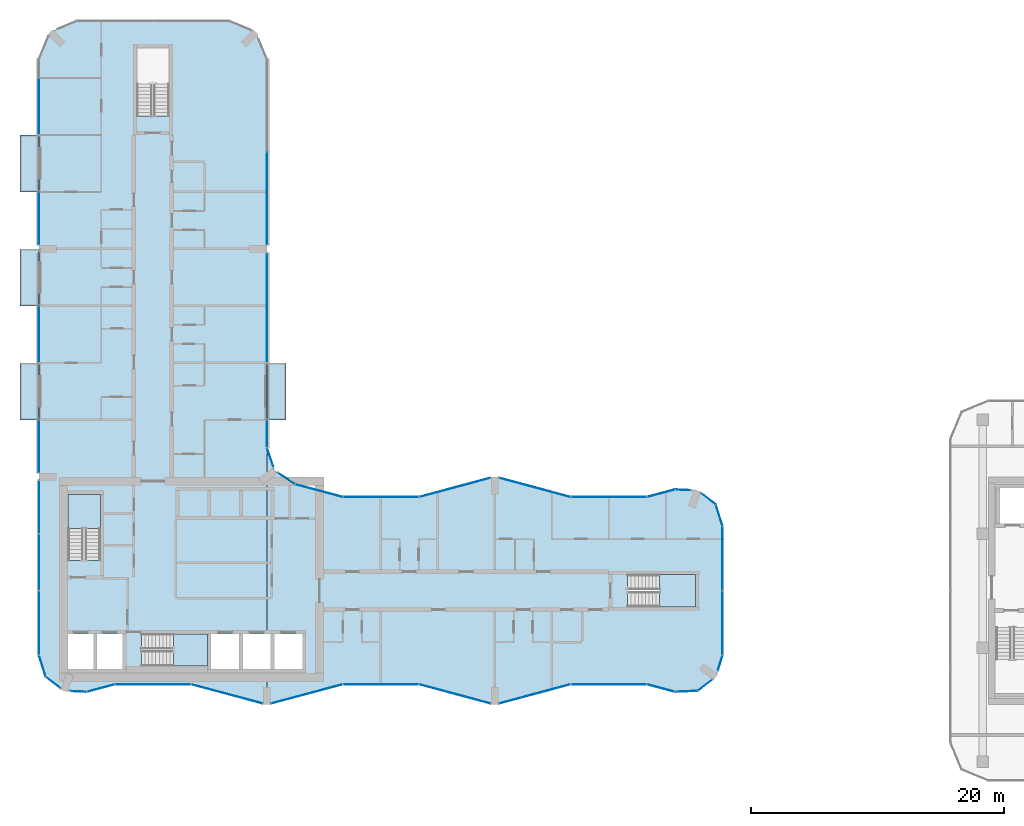
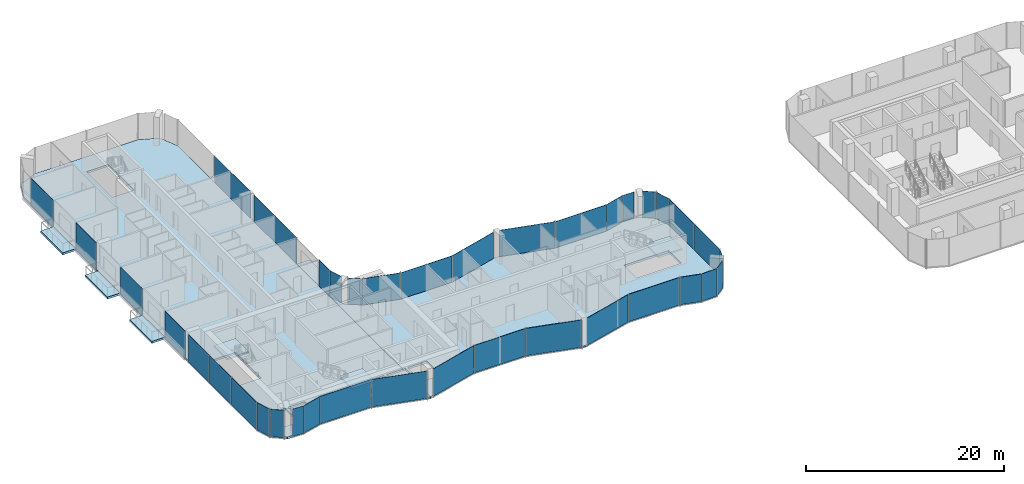
# One storey, part 11 of 22: 38 plates, 9 slabs, 38 elements without a shape of their own.
"""IFC4 building model written with IfcOpenShell, lengths in metres."""

from ifc_helpers import new_model, si_unit, direction, frame, origin, origin_2d, place, context, subcontext, project, spatial, polyline, rectangle, outline, extrude, material, layer, layer_set, type_object, element, aggregate, save


model = new_model("IFC4")

# Units and contexts
model_context = context("Model", 3, precision=1e-05, world=origin(), true_north=direction((0.0, 1.0)))
body_context = subcontext(model_context, "Body", "Model", "MODEL_VIEW")
ifc_project = project(units=[si_unit("LENGTHUNIT", "METRE"), si_unit("AREAUNIT", "SQUARE_METRE"), si_unit("VOLUMEUNIT", "CUBIC_METRE"), si_unit("PLANEANGLEUNIT", "RADIAN"), si_unit("MASSUNIT", "GRAM", prefix="KILO")], contexts=[model_context])

# Site, building, storey
site_placement = place(None, origin())
site = spatial("IfcSite", under=ifc_project, at=site_placement, CompositionType="ELEMENT")
building_placement = place(site_placement, origin())
building = spatial("IfcBuilding", under=site, at=building_placement, Name="Plateau Cross Towers", CompositionType="ELEMENT")
storey_placement = place(building_placement, frame((0.0, 0.0, 61.800048828125)))
storey = spatial("IfcBuildingStorey", under=building, at=storey_placement, Name="L15", CompositionType="ELEMENT", Elevation=61.800048828125)

# Slabs
ifc_material_1 = material(Name="Concrete C40/50", Category="concrete")
ifc_layer_1 = layer(ifc_material_1, 0.25)
ifc_layer_set_1 = layer_set([ifc_layer_1], Name="Concrete C40/50")
slab_type_1 = type_object("IfcSlabType", Name="Balcony slab 250", PredefinedType="FLOOR", material=ifc_layer_set_1)
slab_1_placement = place(storey_placement, frame((0.0, 0.0, -0.25)))
element("IfcSlab", 1, at=slab_1_placement, inside=storey, type_object=slab_type_1, Name="Balcony slab A-BAL-L15-01", PredefinedType="FLOOR", context=body_context, shape_type="SweptSolid", body=[
    extrude(outline(polyline([(0.0, 22.5), (0.0, 27.0), (-1.5, 27.0), (-1.5, 22.5), (0.0, 22.5)])), origin(), (0.0, 0.0, 1.0), 0.25),
])
slab_2_placement = place(storey_placement, frame((0.0, 0.0, -0.25)))
element("IfcSlab", 2, at=slab_2_placement, inside=storey, type_object=slab_type_1, Name="Balcony slab A-BAL-L15-02", PredefinedType="FLOOR", context=body_context, shape_type="SweptSolid", body=[
    extrude(outline(polyline([(0.0, 31.5), (0.0, 36.0), (-1.5, 36.0), (-1.5, 31.5), (0.0, 31.5)])), origin(), (0.0, 0.0, 1.0), 0.25),
])
slab_3_placement = place(storey_placement, frame((0.0, 0.0, -0.25)))
element("IfcSlab", 3, at=slab_3_placement, inside=storey, type_object=slab_type_1, Name="Balcony slab A-BAL-L15-03", PredefinedType="FLOOR", context=body_context, shape_type="SweptSolid", body=[
    extrude(outline(polyline([(0.0, 40.5), (0.0, 45.0), (-1.5, 45.0), (-1.5, 40.5), (0.0, 40.5)])), origin(), (0.0, 0.0, 1.0), 0.25),
])
slab_4_placement = place(storey_placement, frame((0.0, 0.0, -0.25)))
element("IfcSlab", 4, at=slab_4_placement, inside=storey, type_object=slab_type_1, Name="Balcony slab A-BAL-L15-04", PredefinedType="FLOOR", context=body_context, shape_type="SweptSolid", body=[
    extrude(outline(polyline([(19.5, 22.5), (19.5, 27.0), (18.0, 27.0), (18.0, 22.5), (19.5, 22.5)])), origin(), (0.0, 0.0, 1.0), 0.25),
])

# Curtain wall, plate
ifc_material_2 = material(Name="Dark low-iron glass", Category="glass")
ifc_layer_2 = layer(ifc_material_2, 0.239990234375)
ifc_layer_set_2 = layer_set([ifc_layer_2], Name="Dark low-iron glass")
curtain_wall_type_1 = type_object("IfcCurtainWallType", Name="Curtain wall flush unitised CW-B", PredefinedType="NOTDEFINED", material=ifc_layer_set_2)
curtain_wall_1_placement = place(storey_placement, origin())
curtain_wall_1 = element("IfcCurtainWall", 5, at=curtain_wall_1_placement, inside=storey, type_object=curtain_wall_type_1, Name="ENV/A/L15/A502_10", PredefinedType="NOTDEFINED")
ifc_layer_3 = layer(ifc_material_2, 0.031982421875)
ifc_layer_set_3 = layer_set([ifc_layer_3], Name="Dark low-iron glass")
plate_type_1 = type_object("IfcPlateType", Name="Glass panel 32 flush unitised", PredefinedType="CURTAIN_PANEL", material=ifc_layer_set_3)
plate_1_placement = place(storey_placement, frame((51.125, 1.05078125, -0.1298828125), z_axis=(0.0, 0.0, 1.0), x_axis=(0.999043701491, 0.043722791671, 0.0)))
plate_1 = element("IfcPlate", 6, at=plate_1_placement, type_object=plate_type_1, Name="CW-B panel 1", PredefinedType="CURTAIN_PANEL", context=body_context, shape_type="SweptSolid", body=[
    extrude(rectangle(XDim=1.744140625, YDim=0.031982421875, at=origin_2d()), origin(), (0.0, 0.0, 1.0), 3.3798828125),
])
aggregate(curtain_wall_1, [plate_1])

curtain_wall_2_placement = place(storey_placement, origin())
curtain_wall_2 = element("IfcCurtainWall", 7, at=curtain_wall_2_placement, inside=storey, type_object=curtain_wall_type_1, Name="ENV/A/L15/A520_11", PredefinedType="NOTDEFINED")
plate_2_placement = place(storey_placement, frame((52.60986328125, 1.5380859375, -0.1298828125), z_axis=(0.0, 0.0, 1.0), x_axis=(0.793315514529, 0.608810721331, 0.0)))
plate_2 = element("IfcPlate", 8, at=plate_2_placement, type_object=plate_type_1, Name="CW-B panel 1", PredefinedType="CURTAIN_PANEL", context=body_context, shape_type="SweptSolid", body=[
    extrude(rectangle(XDim=1.41162109375, YDim=0.031982421875, at=origin_2d()), origin(), (0.0, 0.0, 1.0), 3.3798828125),
])
aggregate(curtain_wall_2, [plate_2])

curtain_wall_3_placement = place(storey_placement, origin())
curtain_wall_3 = element("IfcCurtainWall", 9, at=curtain_wall_3_placement, inside=storey, type_object=curtain_wall_type_1, Name="ENV/A/L15/A536_27", PredefinedType="NOTDEFINED")
plate_3_placement = place(storey_placement, frame((53.805419921875, 3.292236328125, -0.1298828125), z_axis=(0.0, 0.0, 1.0), x_axis=(0.300686174994, 0.95372313811, 0.0)))
plate_3 = element("IfcPlate", 10, at=plate_3_placement, type_object=plate_type_1, Name="CW-B panel 1", PredefinedType="CURTAIN_PANEL", context=body_context, shape_type="SweptSolid", body=[
    extrude(rectangle(XDim=1.233642578125, YDim=0.031982421875, at=origin_2d()), origin(), (0.0, 0.0, 1.0), 3.3798828125),
])
aggregate(curtain_wall_3, [plate_3])

# Curtain wall, plates
curtain_wall_4_placement = place(storey_placement, origin())
curtain_wall_4 = element("IfcCurtainWall", 11, at=curtain_wall_4_placement, inside=storey, type_object=curtain_wall_type_1, Name="ENV/A/L15/A540_39", PredefinedType="NOTDEFINED")
plate_4_placement = place(storey_placement, frame((54.0, 6.45458984375, -0.1298828125), z_axis=(0.0, 0.0, 1.0), x_axis=(0.0, 1.0, 0.0)))
plate_4 = element("IfcPlate", 12, at=plate_4_placement, type_object=plate_type_1, Name="CW-B panel 1", PredefinedType="CURTAIN_PANEL", context=body_context, shape_type="SweptSolid", body=[
    extrude(rectangle(XDim=5.03076171875, YDim=0.031982421875, at=origin_2d()), origin(), (0.0, 0.0, 1.0), 3.3798828125),
])
plate_5_placement = place(storey_placement, frame((54.0, 11.54541015625, -0.1298828125), z_axis=(0.0, 0.0, 1.0), x_axis=(0.0, 1.0, 0.0)))
plate_5 = element("IfcPlate", 13, at=plate_5_placement, type_object=plate_type_1, Name="CW-B panel 2", PredefinedType="CURTAIN_PANEL", context=body_context, shape_type="SweptSolid", body=[
    extrude(rectangle(XDim=5.03076171875, YDim=0.031982421875, at=origin_2d()), origin(), (0.0, 0.0, 1.0), 3.3798828125),
])
aggregate(curtain_wall_4, [plate_4, plate_5])

# Curtain wall, plate
curtain_wall_5_placement = place(storey_placement, origin())
curtain_wall_5 = element("IfcCurtainWall", 14, at=curtain_wall_5_placement, inside=storey, type_object=curtain_wall_type_1, Name="ENV/A/L15/A540_141", PredefinedType="NOTDEFINED")
plate_6_placement = place(storey_placement, frame((53.728759765625, 14.951171875, -0.1298828125), z_axis=(0.0, 0.0, 1.0), x_axis=(-0.300686174994, 0.95372313811, 0.0)))
plate_6 = element("IfcPlate", 15, at=plate_6_placement, type_object=plate_type_1, Name="CW-B panel 1", PredefinedType="CURTAIN_PANEL", context=body_context, shape_type="SweptSolid", body=[
    extrude(rectangle(XDim=1.744140625, YDim=0.031982421875, at=origin_2d()), origin(), (0.0, 0.0, 1.0), 3.3798828125),
])
aggregate(curtain_wall_5, [plate_6])

curtain_wall_6_placement = place(storey_placement, origin())
curtain_wall_6 = element("IfcCurtainWall", 16, at=curtain_wall_6_placement, inside=storey, type_object=curtain_wall_type_1, Name="ENV/A/L15/A535_158", PredefinedType="NOTDEFINED")
plate_7_placement = place(storey_placement, frame((52.873779296875, 16.25927734375, -0.1298828125), z_axis=(0.0, 0.0, 1.0), x_axis=(-0.793315514529, 0.608810721331, 0.0)))
plate_7 = element("IfcPlate", 17, at=plate_7_placement, type_object=plate_type_1, Name="CW-B panel 1", PredefinedType="CURTAIN_PANEL", context=body_context, shape_type="SweptSolid", body=[
    extrude(rectangle(XDim=1.41162109375, YDim=0.031982421875, at=origin_2d()), origin(), (0.0, 0.0, 1.0), 3.3798828125),
])
aggregate(curtain_wall_6, [plate_7])

curtain_wall_7_placement = place(storey_placement, origin())
curtain_wall_7 = element("IfcCurtainWall", 18, at=curtain_wall_7_placement, inside=storey, type_object=curtain_wall_type_1, Name="ENV/A/L15/A515_169", PredefinedType="NOTDEFINED")
plate_8_placement = place(storey_placement, frame((50.8701171875, 16.96044921875, -0.1298828125), z_axis=(0.0, 0.0, 1.0), x_axis=(-0.999043701491, 0.043722791671, 0.0)))
plate_8 = element("IfcPlate", 19, at=plate_8_placement, type_object=plate_type_1, Name="CW-B panel 1", PredefinedType="CURTAIN_PANEL", context=body_context, shape_type="SweptSolid", body=[
    extrude(rectangle(XDim=1.233642578125, YDim=0.031982421875, at=origin_2d()), origin(), (0.0, 0.0, 1.0), 3.3798828125),
])
aggregate(curtain_wall_7, [plate_8])

curtain_wall_8_placement = place(storey_placement, origin())
curtain_wall_8 = element("IfcCurtainWall", 20, at=curtain_wall_8_placement, inside=storey, type_object=curtain_wall_type_1, Name="ENV/A/L15/A202_174", PredefinedType="NOTDEFINED")
plate_9_placement = place(storey_placement, frame((19.546630859375, 17.856689453125, -0.1298828125), z_axis=(0.0, 0.0, 1.0), x_axis=(-0.831521253329, 0.555492938984, 0.0)))
plate_9 = element("IfcPlate", 21, at=plate_9_placement, type_object=plate_type_1, Name="CW-B panel 1", PredefinedType="CURTAIN_PANEL", context=body_context, shape_type="SweptSolid", body=[
    extrude(rectangle(XDim=1.56884765625, YDim=0.031982421875, at=origin_2d()), origin(), (0.0, 0.0, 1.0), 3.3798828125),
])
aggregate(curtain_wall_8, [plate_9])

curtain_wall_9_placement = place(storey_placement, origin())
curtain_wall_9 = element("IfcCurtainWall", 22, at=curtain_wall_9_placement, inside=storey, type_object=curtain_wall_type_1, Name="ENV/A/L15/A185_188", PredefinedType="NOTDEFINED")
plate_10_placement = place(storey_placement, frame((18.26171875, 19.531005859375, -0.1298828125), z_axis=(0.0, 0.0, 1.0), x_axis=(-0.321469161574, 0.94692004845, 0.0)))
plate_10 = element("IfcPlate", 23, at=plate_10_placement, type_object=plate_type_1, Name="CW-B panel 1", PredefinedType="CURTAIN_PANEL", context=body_context, shape_type="SweptSolid", body=[
    extrude(rectangle(XDim=1.56884765625, YDim=0.031982421875, at=origin_2d()), origin(), (0.0, 0.0, 1.0), 3.3798828125),
])
aggregate(curtain_wall_9, [plate_10])

curtain_wall_10_placement = place(storey_placement, origin())
curtain_wall_10 = element("IfcCurtainWall", 24, at=curtain_wall_10_placement, inside=storey, type_object=curtain_wall_type_1, Name="ENV/A/L15/A180_203", PredefinedType="NOTDEFINED")
plate_11_placement = place(storey_placement, frame((18.0, 21.396240234375, -0.1298828125), z_axis=(0.0, 0.0, 1.0), x_axis=(0.0, 1.0, 0.0)))
plate_11 = element("IfcPlate", 25, at=plate_11_placement, type_object=plate_type_1, Name="CW-B panel 1", PredefinedType="CURTAIN_PANEL", context=body_context, shape_type="SweptSolid", body=[
    extrude(rectangle(XDim=2.127685546875, YDim=0.031982421875, at=origin_2d()), origin(), (0.0, 0.0, 1.0), 3.3798828125),
])
aggregate(curtain_wall_10, [plate_11])

curtain_wall_11_placement = place(storey_placement, origin())
curtain_wall_11 = element("IfcCurtainWall", 26, at=curtain_wall_11_placement, inside=storey, type_object=curtain_wall_type_1, Name="ENV/A/L15/A180_270", PredefinedType="NOTDEFINED")
plate_12_placement = place(storey_placement, frame((18.0, 31.35498046875, -0.1298828125), z_axis=(0.0, 0.0, 1.0), x_axis=(0.0, 1.0, 0.0)))
plate_12 = element("IfcPlate", 27, at=plate_12_placement, type_object=plate_type_1, Name="CW-B panel 1", PredefinedType="CURTAIN_PANEL", context=body_context, shape_type="SweptSolid", body=[
    extrude(rectangle(XDim=8.6298828125, YDim=0.031982421875, at=origin_2d()), origin(), (0.0, 0.0, 1.0), 3.3798828125),
])
aggregate(curtain_wall_11, [plate_12])

curtain_wall_12_placement = place(storey_placement, origin())
curtain_wall_12 = element("IfcCurtainWall", 28, at=curtain_wall_12_placement, inside=storey, type_object=curtain_wall_type_1, Name="ENV/A/L15/A180_363", PredefinedType="NOTDEFINED")
plate_13_placement = place(storey_placement, frame((18.0, 39.97509765625, -0.1298828125), z_axis=(0.0, 0.0, 1.0), x_axis=(0.0, 1.0, 0.0)))
plate_13 = element("IfcPlate", 29, at=plate_13_placement, type_object=plate_type_1, Name="CW-B panel 1", PredefinedType="CURTAIN_PANEL", context=body_context, shape_type="SweptSolid", body=[
    extrude(rectangle(XDim=7.2900390625, YDim=0.031982421875, at=origin_2d()), origin(), (0.0, 0.0, 1.0), 3.3798828125),
])
aggregate(curtain_wall_12, [plate_13])

curtain_wall_13_placement = place(storey_placement, origin())
curtain_wall_13 = element("IfcCurtainWall", 30, at=curtain_wall_13_placement, inside=storey, type_object=curtain_wall_type_1, Name="ENV/A/L15/A0_510", PredefinedType="NOTDEFINED")
plate_14_placement = place(storey_placement, frame((0.0, 47.2548828125, -0.1298828125), z_axis=(0.0, 0.0, 1.0), x_axis=(0.0, -1.0, 0.0)))
plate_14 = element("IfcPlate", 31, at=plate_14_placement, type_object=plate_type_1, Name="CW-B panel 2", PredefinedType="CURTAIN_PANEL", context=body_context, shape_type="SweptSolid", body=[
    extrude(rectangle(XDim=4.429931640625, YDim=0.031982421875, at=origin_2d()), origin(), (0.0, 0.0, 1.0), 3.3798828125),
])
aggregate(curtain_wall_13, [plate_14])

curtain_wall_14_placement = place(storey_placement, origin())
curtain_wall_14 = element("IfcCurtainWall", 32, at=curtain_wall_14_placement, inside=storey, type_object=curtain_wall_type_1, Name="ENV/A/L15/A0_405", PredefinedType="NOTDEFINED")
plate_15_placement = place(storey_placement, frame((0.0, 38.39501953125, -0.1298828125), z_axis=(0.0, 0.0, 1.0), x_axis=(0.0, -1.0, 0.0)))
plate_15 = element("IfcPlate", 33, at=plate_15_placement, type_object=plate_type_1, Name="CW-B panel 1", PredefinedType="CURTAIN_PANEL", context=body_context, shape_type="SweptSolid", body=[
    extrude(rectangle(XDim=4.1298828125, YDim=0.031982421875, at=origin_2d()), origin(), (0.0, 0.0, 1.0), 3.3798828125),
])
aggregate(curtain_wall_14, [plate_15])

curtain_wall_15_placement = place(storey_placement, origin())
curtain_wall_15 = element("IfcCurtainWall", 34, at=curtain_wall_15_placement, inside=storey, type_object=curtain_wall_type_1, Name="ENV/A/L15/A0_315", PredefinedType="NOTDEFINED")
plate_16_placement = place(storey_placement, frame((0.0, 29.25, -0.1298828125), z_axis=(0.0, 0.0, 1.0), x_axis=(0.0, -1.0, 0.0)))
plate_16 = element("IfcPlate", 35, at=plate_16_placement, type_object=plate_type_1, Name="CW-B panel 1", PredefinedType="CURTAIN_PANEL", context=body_context, shape_type="SweptSolid", body=[
    extrude(rectangle(XDim=4.419921875, YDim=0.031982421875, at=origin_2d()), origin(), (0.0, 0.0, 1.0), 3.3798828125),
])
aggregate(curtain_wall_15, [plate_16])

curtain_wall_16_placement = place(storey_placement, origin())
curtain_wall_16 = element("IfcCurtainWall", 36, at=curtain_wall_16_placement, inside=storey, type_object=curtain_wall_type_1, Name="ENV/A/L15/A0_225", PredefinedType="NOTDEFINED")
plate_17_placement = place(storey_placement, frame((0.0, 20.39501953125, -0.1298828125), z_axis=(0.0, 0.0, 1.0), x_axis=(0.0, -1.0, 0.0)))
plate_17 = element("IfcPlate", 37, at=plate_17_placement, type_object=plate_type_1, Name="CW-B panel 1", PredefinedType="CURTAIN_PANEL", context=body_context, shape_type="SweptSolid", body=[
    extrude(rectangle(XDim=4.1298828125, YDim=0.031982421875, at=origin_2d()), origin(), (0.0, 0.0, 1.0), 3.3798828125),
])
aggregate(curtain_wall_16, [plate_17])

# Curtain wall, plates
curtain_wall_17_placement = place(storey_placement, origin())
curtain_wall_17 = element("IfcCurtainWall", 38, at=curtain_wall_17_placement, inside=storey, type_object=curtain_wall_type_1, Name="ENV/A/L15/A0_177", PredefinedType="NOTDEFINED")
plate_18_placement = place(storey_placement, frame((0.0, 15.60009765625, -0.1298828125), z_axis=(0.0, 0.0, 1.0), x_axis=(0.0, -1.0, 0.0)))
plate_18 = element("IfcPlate", 39, at=plate_18_placement, type_object=plate_type_1, Name="CW-B panel 1", PredefinedType="CURTAIN_PANEL", context=body_context, shape_type="SweptSolid", body=[
    extrude(rectangle(XDim=4.139892578125, YDim=0.031982421875, at=origin_2d()), origin(), (0.0, 0.0, 1.0), 3.3798828125),
])
plate_19_placement = place(storey_placement, frame((0.0, 11.25, -0.1298828125), z_axis=(0.0, 0.0, 1.0), x_axis=(0.0, -1.0, 0.0)))
plate_19 = element("IfcPlate", 40, at=plate_19_placement, type_object=plate_type_1, Name="CW-B panel 2", PredefinedType="CURTAIN_PANEL", context=body_context, shape_type="SweptSolid", body=[
    extrude(rectangle(XDim=4.43994140625, YDim=0.031982421875, at=origin_2d()), origin(), (0.0, 0.0, 1.0), 3.3798828125),
])
plate_20_placement = place(storey_placement, frame((0.0, 6.45458984375, -0.1298828125), z_axis=(0.0, 0.0, 1.0), x_axis=(0.0, -1.0, 0.0)))
plate_20 = element("IfcPlate", 41, at=plate_20_placement, type_object=plate_type_1, Name="CW-B panel 3", PredefinedType="CURTAIN_PANEL", context=body_context, shape_type="SweptSolid", body=[
    extrude(rectangle(XDim=5.03076171875, YDim=0.031982421875, at=origin_2d()), origin(), (0.0, 0.0, 1.0), 3.3798828125),
])
aggregate(curtain_wall_17, [plate_18, plate_19, plate_20])

# Curtain wall, plate
curtain_wall_18_placement = place(storey_placement, origin())
curtain_wall_18 = element("IfcCurtainWall", 42, at=curtain_wall_18_placement, inside=storey, type_object=curtain_wall_type_1, Name="ENV/A/L15/A0_39", PredefinedType="NOTDEFINED")
plate_21_placement = place(storey_placement, frame((0.271240234375, 3.048828125, -0.1298828125), z_axis=(0.0, 0.0, 1.0), x_axis=(0.300686174994, -0.95372313811, 0.0)))
plate_21 = element("IfcPlate", 43, at=plate_21_placement, type_object=plate_type_1, Name="CW-B panel 1", PredefinedType="CURTAIN_PANEL", context=body_context, shape_type="SweptSolid", body=[
    extrude(rectangle(XDim=1.744140625, YDim=0.031982421875, at=origin_2d()), origin(), (0.0, 0.0, 1.0), 3.3798828125),
])
aggregate(curtain_wall_18, [plate_21])

curtain_wall_19_placement = place(storey_placement, origin())
curtain_wall_19 = element("IfcCurtainWall", 44, at=curtain_wall_19_placement, inside=storey, type_object=curtain_wall_type_1, Name="ENV/A/L15/A5_22", PredefinedType="NOTDEFINED")
plate_22_placement = place(storey_placement, frame((1.126220703125, 1.74072265625, -0.1298828125), z_axis=(0.0, 0.0, 1.0), x_axis=(0.793315514529, -0.608810721331, 0.0)))
plate_22 = element("IfcPlate", 45, at=plate_22_placement, type_object=plate_type_1, Name="CW-B panel 1", PredefinedType="CURTAIN_PANEL", context=body_context, shape_type="SweptSolid", body=[
    extrude(rectangle(XDim=1.41162109375, YDim=0.031982421875, at=origin_2d()), origin(), (0.0, 0.0, 1.0), 3.3798828125),
])
aggregate(curtain_wall_19, [plate_22])

curtain_wall_20_placement = place(storey_placement, origin())
curtain_wall_20 = element("IfcCurtainWall", 46, at=curtain_wall_20_placement, inside=storey, type_object=curtain_wall_type_1, Name="ENV/A/L15/A25_11", PredefinedType="NOTDEFINED")
plate_23_placement = place(storey_placement, frame((3.1298828125, 1.03955078125, -0.1298828125), z_axis=(0.0, 0.0, 1.0), x_axis=(0.999043701491, -0.043722791671, 0.0)))
plate_23 = element("IfcPlate", 47, at=plate_23_placement, type_object=plate_type_1, Name="CW-B panel 1", PredefinedType="CURTAIN_PANEL", context=body_context, shape_type="SweptSolid", body=[
    extrude(rectangle(XDim=1.233642578125, YDim=0.031982421875, at=origin_2d()), origin(), (0.0, 0.0, 1.0), 3.3798828125),
])
aggregate(curtain_wall_20, [plate_23])

ifc_layer_4 = layer(ifc_material_2, 0.260009765625)
ifc_layer_set_4 = layer_set([ifc_layer_4], Name="Dark low-iron glass")
curtain_wall_type_2 = type_object("IfcCurtainWallType", Name="Curtain wall fluted unitised CW-A", PredefinedType="NOTDEFINED", material=ifc_layer_set_4)
curtain_wall_21_placement = place(storey_placement, origin())
curtain_wall_21 = element("IfcCurtainWall", 48, at=curtain_wall_21_placement, inside=storey, type_object=curtain_wall_type_2, Name="ENV/A/L15/A38_10", PredefinedType="NOTDEFINED")
ifc_layer_5 = layer(ifc_material_2, 0.035888671875)
ifc_layer_set_5 = layer_set([ifc_layer_5], Name="Dark low-iron glass")
plate_type_2 = type_object("IfcPlateType", Name="Glass panel 36 fluted unitised", PredefinedType="CURTAIN_PANEL", material=ifc_layer_set_5)
plate_24_placement = place(storey_placement, frame((4.887939453125, 1.30908203125, -0.1298828125), z_axis=(0.0, 0.0, 1.0), x_axis=(0.965957962328, 0.258699081978, 0.0)))
plate_24 = element("IfcPlate", 49, at=plate_24_placement, type_object=plate_type_2, Name="CW-A panel 1", PredefinedType="CURTAIN_PANEL", context=body_context, shape_type="SweptSolid", body=[
    extrude(rectangle(XDim=2.2421875, YDim=0.035888671875, at=origin_2d()), origin(), (0.0, 0.0, 1.0), 3.3798828125),
])
aggregate(curtain_wall_21, [plate_24])

curtain_wall_22_placement = place(storey_placement, origin())
curtain_wall_22 = element("IfcCurtainWall", 50, at=curtain_wall_22_placement, inside=storey, type_object=curtain_wall_type_2, Name="ENV/A/L15/A60_16", PredefinedType="NOTDEFINED")
plate_25_placement = place(storey_placement, frame((9.0, 1.60693359375, -0.1298828125), z_axis=(0.0, 0.0, 1.0), x_axis=(1.0, 0.0, 0.0)))
plate_25 = element("IfcPlate", 51, at=plate_25_placement, type_object=plate_type_2, Name="CW-A panel 1", PredefinedType="CURTAIN_PANEL", context=body_context, shape_type="SweptSolid", body=[
    extrude(rectangle(XDim=5.93994140625, YDim=0.035888671875, at=origin_2d()), origin(), (0.0, 0.0, 1.0), 3.3798828125),
])
aggregate(curtain_wall_22, [plate_25])

curtain_wall_23_placement = place(storey_placement, origin())
curtain_wall_23 = element("IfcCurtainWall", 52, at=curtain_wall_23_placement, inside=storey, type_object=curtain_wall_type_2, Name="ENV/A/L15/A120_16", PredefinedType="NOTDEFINED")
plate_26_placement = place(storey_placement, frame((14.841064453125, 0.845947265625, -0.1298828125), z_axis=(0.0, 0.0, 1.0), x_axis=(0.965957983404, -0.258699003279, 0.0)))
plate_26 = element("IfcPlate", 53, at=plate_26_placement, type_object=plate_type_2, Name="CW-A panel 1", PredefinedType="CURTAIN_PANEL", context=body_context, shape_type="SweptSolid", body=[
    extrude(rectangle(XDim=5.822265625, YDim=0.035888671875, at=origin_2d()), origin(), (0.0, 0.0, 1.0), 3.3798828125),
])
aggregate(curtain_wall_23, [plate_26])

curtain_wall_24_placement = place(storey_placement, origin())
curtain_wall_24 = element("IfcCurtainWall", 54, at=curtain_wall_24_placement, inside=storey, type_object=curtain_wall_type_2, Name="ENV/A/L15/A183_1", PredefinedType="NOTDEFINED")
plate_27_placement = place(storey_placement, frame((21.158935546875, 0.845947265625, -0.1298828125), z_axis=(0.0, 0.0, 1.0), x_axis=(0.965957983404, 0.258699003279, 0.0)))
plate_27 = element("IfcPlate", 55, at=plate_27_placement, type_object=plate_type_2, Name="CW-A panel 1", PredefinedType="CURTAIN_PANEL", context=body_context, shape_type="SweptSolid", body=[
    extrude(rectangle(XDim=5.822265625, YDim=0.035888671875, at=origin_2d()), origin(), (0.0, 0.0, 1.0), 3.3798828125),
])
aggregate(curtain_wall_24, [plate_27])

curtain_wall_25_placement = place(storey_placement, origin())
curtain_wall_25 = element("IfcCurtainWall", 56, at=curtain_wall_25_placement, inside=storey, type_object=curtain_wall_type_2, Name="ENV/A/L15/A240_16", PredefinedType="NOTDEFINED")
plate_28_placement = place(storey_placement, frame((27.0, 1.60693359375, -0.1298828125), z_axis=(0.0, 0.0, 1.0), x_axis=(1.0, 0.0, 0.0)))
plate_28 = element("IfcPlate", 57, at=plate_28_placement, type_object=plate_type_2, Name="CW-A panel 1", PredefinedType="CURTAIN_PANEL", context=body_context, shape_type="SweptSolid", body=[
    extrude(rectangle(XDim=5.93994140625, YDim=0.035888671875, at=origin_2d()), origin(), (0.0, 0.0, 1.0), 3.3798828125),
])
aggregate(curtain_wall_25, [plate_28])

curtain_wall_26_placement = place(storey_placement, origin())
curtain_wall_26 = element("IfcCurtainWall", 58, at=curtain_wall_26_placement, inside=storey, type_object=curtain_wall_type_2, Name="ENV/A/L15/A300_16", PredefinedType="NOTDEFINED")
plate_29_placement = place(storey_placement, frame((32.841064453125, 0.845947265625, -0.1298828125), z_axis=(0.0, 0.0, 1.0), x_axis=(0.965957983404, -0.258699003279, 0.0)))
plate_29 = element("IfcPlate", 59, at=plate_29_placement, type_object=plate_type_2, Name="CW-A panel 1", PredefinedType="CURTAIN_PANEL", context=body_context, shape_type="SweptSolid", body=[
    extrude(rectangle(XDim=5.822265625, YDim=0.035888671875, at=origin_2d()), origin(), (0.0, 0.0, 1.0), 3.3798828125),
])
aggregate(curtain_wall_26, [plate_29])

curtain_wall_27_placement = place(storey_placement, origin())
curtain_wall_27 = element("IfcCurtainWall", 60, at=curtain_wall_27_placement, inside=storey, type_object=curtain_wall_type_2, Name="ENV/A/L15/A363_1", PredefinedType="NOTDEFINED")
plate_30_placement = place(storey_placement, frame((39.158935546875, 0.845947265625, -0.1298828125), z_axis=(0.0, 0.0, 1.0), x_axis=(0.965957983404, 0.258699003279, 0.0)))
plate_30 = element("IfcPlate", 61, at=plate_30_placement, type_object=plate_type_2, Name="CW-A panel 1", PredefinedType="CURTAIN_PANEL", context=body_context, shape_type="SweptSolid", body=[
    extrude(rectangle(XDim=5.822265625, YDim=0.035888671875, at=origin_2d()), origin(), (0.0, 0.0, 1.0), 3.3798828125),
])
aggregate(curtain_wall_27, [plate_30])

curtain_wall_28_placement = place(storey_placement, origin())
curtain_wall_28 = element("IfcCurtainWall", 62, at=curtain_wall_28_placement, inside=storey, type_object=curtain_wall_type_2, Name="ENV/A/L15/A420_16", PredefinedType="NOTDEFINED")
plate_31_placement = place(storey_placement, frame((45.0, 1.60693359375, -0.1298828125), z_axis=(0.0, 0.0, 1.0), x_axis=(1.0, 0.0, 0.0)))
plate_31 = element("IfcPlate", 63, at=plate_31_placement, type_object=plate_type_2, Name="CW-A panel 1", PredefinedType="CURTAIN_PANEL", context=body_context, shape_type="SweptSolid", body=[
    extrude(rectangle(XDim=5.93994140625, YDim=0.035888671875, at=origin_2d()), origin(), (0.0, 0.0, 1.0), 3.3798828125),
])
aggregate(curtain_wall_28, [plate_31])

curtain_wall_29_placement = place(storey_placement, origin())
curtain_wall_29 = element("IfcCurtainWall", 64, at=curtain_wall_29_placement, inside=storey, type_object=curtain_wall_type_2, Name="ENV/A/L15/A480_16", PredefinedType="NOTDEFINED")
plate_32_placement = place(storey_placement, frame((49.112060546875, 1.30908203125, -0.1298828125), z_axis=(0.0, 0.0, 1.0), x_axis=(0.965957962328, -0.258699081978, 0.0)))
plate_32 = element("IfcPlate", 65, at=plate_32_placement, type_object=plate_type_2, Name="CW-A panel 1", PredefinedType="CURTAIN_PANEL", context=body_context, shape_type="SweptSolid", body=[
    extrude(rectangle(XDim=2.2421875, YDim=0.035888671875, at=origin_2d()), origin(), (0.0, 0.0, 1.0), 3.3798828125),
])
aggregate(curtain_wall_29, [plate_32])

curtain_wall_30_placement = place(storey_placement, origin())
curtain_wall_30 = element("IfcCurtainWall", 66, at=curtain_wall_30_placement, inside=storey, type_object=curtain_wall_type_2, Name="ENV/A/L15/A502_170", PredefinedType="NOTDEFINED")
plate_33_placement = place(storey_placement, frame((49.112060546875, 16.69091796875, -0.1298828125), z_axis=(0.0, 0.0, 1.0), x_axis=(-0.965957962328, -0.258699081978, 0.0)))
plate_33 = element("IfcPlate", 67, at=plate_33_placement, type_object=plate_type_2, Name="CW-A panel 1", PredefinedType="CURTAIN_PANEL", context=body_context, shape_type="SweptSolid", body=[
    extrude(rectangle(XDim=2.2421875, YDim=0.035888671875, at=origin_2d()), origin(), (0.0, 0.0, 1.0), 3.3798828125),
])
aggregate(curtain_wall_30, [plate_33])

curtain_wall_31_placement = place(storey_placement, origin())
curtain_wall_31 = element("IfcCurtainWall", 68, at=curtain_wall_31_placement, inside=storey, type_object=curtain_wall_type_2, Name="ENV/A/L15/A480_164", PredefinedType="NOTDEFINED")
plate_34_placement = place(storey_placement, frame((45.0, 16.39306640625, -0.1298828125), z_axis=(0.0, 0.0, 1.0), x_axis=(-1.0, 0.0, 0.0)))
plate_34 = element("IfcPlate", 69, at=plate_34_placement, type_object=plate_type_2, Name="CW-A panel 1", PredefinedType="CURTAIN_PANEL", context=body_context, shape_type="SweptSolid", body=[
    extrude(rectangle(XDim=5.93994140625, YDim=0.035888671875, at=origin_2d()), origin(), (0.0, 0.0, 1.0), 3.3798828125),
])
aggregate(curtain_wall_31, [plate_34])

curtain_wall_32_placement = place(storey_placement, origin())
curtain_wall_32 = element("IfcCurtainWall", 70, at=curtain_wall_32_placement, inside=storey, type_object=curtain_wall_type_2, Name="ENV/A/L15/A420_164", PredefinedType="NOTDEFINED")
plate_35_placement = place(storey_placement, frame((39.158935546875, 17.154052734375, -0.1298828125), z_axis=(0.0, 0.0, 1.0), x_axis=(-0.965957983404, 0.258699003279, 0.0)))
plate_35 = element("IfcPlate", 71, at=plate_35_placement, type_object=plate_type_2, Name="CW-A panel 1", PredefinedType="CURTAIN_PANEL", context=body_context, shape_type="SweptSolid", body=[
    extrude(rectangle(XDim=5.822265625, YDim=0.035888671875, at=origin_2d()), origin(), (0.0, 0.0, 1.0), 3.3798828125),
])
aggregate(curtain_wall_32, [plate_35])

curtain_wall_33_placement = place(storey_placement, origin())
curtain_wall_33 = element("IfcCurtainWall", 72, at=curtain_wall_33_placement, inside=storey, type_object=curtain_wall_type_2, Name="ENV/A/L15/A357_179", PredefinedType="NOTDEFINED")
plate_36_placement = place(storey_placement, frame((32.841064453125, 17.154052734375, -0.1298828125), z_axis=(0.0, 0.0, 1.0), x_axis=(-0.965957983404, -0.258699003279, 0.0)))
plate_36 = element("IfcPlate", 73, at=plate_36_placement, type_object=plate_type_2, Name="CW-A panel 1", PredefinedType="CURTAIN_PANEL", context=body_context, shape_type="SweptSolid", body=[
    extrude(rectangle(XDim=5.822265625, YDim=0.035888671875, at=origin_2d()), origin(), (0.0, 0.0, 1.0), 3.3798828125),
])
aggregate(curtain_wall_33, [plate_36])

curtain_wall_34_placement = place(storey_placement, origin())
curtain_wall_34 = element("IfcCurtainWall", 74, at=curtain_wall_34_placement, inside=storey, type_object=curtain_wall_type_2, Name="ENV/A/L15/A300_164", PredefinedType="NOTDEFINED")
plate_37_placement = place(storey_placement, frame((27.0, 16.39306640625, -0.1298828125), z_axis=(0.0, 0.0, 1.0), x_axis=(-1.0, 0.0, 0.0)))
plate_37 = element("IfcPlate", 75, at=plate_37_placement, type_object=plate_type_2, Name="CW-A panel 1", PredefinedType="CURTAIN_PANEL", context=body_context, shape_type="SweptSolid", body=[
    extrude(rectangle(XDim=5.93994140625, YDim=0.035888671875, at=origin_2d()), origin(), (0.0, 0.0, 1.0), 3.3798828125),
])
aggregate(curtain_wall_34, [plate_37])

curtain_wall_35_placement = place(storey_placement, origin())
curtain_wall_35 = element("IfcCurtainWall", 76, at=curtain_wall_35_placement, inside=storey, type_object=curtain_wall_type_2, Name="ENV/A/L15/A240_164", PredefinedType="NOTDEFINED")
plate_38_placement = place(storey_placement, frame((22.112060546875, 16.898681640625, -0.1298828125), z_axis=(0.0, 0.0, 1.0), x_axis=(-0.965957995816, 0.258698956933, 0.0)))
plate_38 = element("IfcPlate", 77, at=plate_38_placement, type_object=plate_type_2, Name="CW-A panel 1", PredefinedType="CURTAIN_PANEL", context=body_context, shape_type="SweptSolid", body=[
    extrude(rectangle(XDim=3.84912109375, YDim=0.035888671875, at=origin_2d()), origin(), (0.0, 0.0, 1.0), 3.3798828125),
])
aggregate(curtain_wall_35, [plate_38])

# Slabs
ifc_layer_6 = layer(ifc_material_1, 0.25)
ifc_layer_set_6 = layer_set([ifc_layer_6], Name="Concrete C40/50")
slab_type_2 = type_object("IfcSlabType", Name="Post-tensioned flat plate slab 250", PredefinedType="FLOOR", material=ifc_layer_set_6)
slab_5_placement = place(storey_placement, frame((0.0, 0.0, -0.25)))
element("IfcSlab", 78, at=slab_5_placement, inside=storey, type_object=slab_type_2, Name="SL-A-L15 1", PredefinedType="FLOOR", context=body_context, shape_type="SweptSolid", body=[
    extrude(outline(polyline([(0.54248046875, 2.1884765625), (0.0, 3.9091796875), (0.0, 51.0), (0.878662109375, 53.121337890625), (3.0, 54.0), (15.0, 54.0), (17.121337890625, 53.121337890625), (18.0, 51.0), (18.0, 20.30224609375), (18.0, 5.60009765625), (16.10009765625, 5.60009765625), (16.10009765625, 2.800048828125), (18.0, 2.800048828125), (18.0, 0.0), (12.0, 1.60693359375), (6.0, 1.60693359375), (3.776123046875, 1.01123046875), (1.9736328125, 1.090087890625), (0.54248046875, 2.1884765625)]), holes=[polyline([(4.300048828125, 5.60009765625), (2.300048828125, 5.60009765625), (2.300048828125, 2.800048828125), (4.300048828125, 2.800048828125), (4.300048828125, 5.60009765625)]), polyline([(6.60009765625, 5.60009765625), (4.60009765625, 5.60009765625), (4.60009765625, 2.800048828125), (6.60009765625, 2.800048828125), (6.60009765625, 5.60009765625)]), polyline([(15.800048828125, 5.60009765625), (13.60009765625, 5.60009765625), (13.60009765625, 2.800048828125), (15.800048828125, 2.800048828125), (15.800048828125, 5.60009765625)]), polyline([(13.300048828125, 5.60009765625), (8.10009765625, 5.60009765625), (8.10009765625, 3.050048828125), (13.300048828125, 3.050048828125), (13.300048828125, 5.60009765625)]), polyline([(4.85009765625, 16.60009765625), (2.300048828125, 16.60009765625), (2.300048828125, 11.39990234375), (4.85009765625, 11.39990234375), (4.85009765625, 16.60009765625)]), polyline([(7.72509765625, 51.699951171875), (7.72509765625, 46.5), (10.27490234375, 46.5), (10.27490234375, 51.699951171875), (7.72509765625, 51.699951171875)])]), origin(), (0.0, 0.0, 1.0), 0.25),
])
slab_6_placement = place(storey_placement, frame((0.0, 0.0, -0.25)))
element("IfcSlab", 79, at=slab_6_placement, inside=storey, type_object=slab_type_2, Name="SL-A-L15 2", PredefinedType="FLOOR", context=body_context, shape_type="SweptSolid", body=[
    extrude(outline(polyline([(18.6201171875, 18.475830078125), (20.223876953125, 17.404296875), (24.0, 16.39306640625), (30.0, 16.39306640625), (36.0, 18.0), (42.0, 16.39306640625), (48.0, 16.39306640625), (50.223876953125, 16.98876953125), (52.0263671875, 16.909912109375), (53.45751953125, 15.8115234375), (54.0, 14.0908203125), (54.0, 3.9091796875), (53.45751953125, 2.1884765625), (52.0263671875, 1.090087890625), (50.223876953125, 1.01123046875), (48.0, 1.60693359375), (42.0, 1.60693359375), (36.0, 0.0), (30.0, 1.60693359375), (24.0, 1.60693359375), (18.0, 0.0), (18.0, 2.800048828125), (18.300048828125, 2.800048828125), (18.300048828125, 5.60009765625), (18.0, 5.60009765625), (18.0, 20.30224609375), (18.6201171875, 18.475830078125)]), holes=[polyline([(20.800048828125, 5.60009765625), (18.60009765625, 5.60009765625), (18.60009765625, 2.800048828125), (20.800048828125, 2.800048828125), (20.800048828125, 5.60009765625)]), polyline([(51.699951171875, 7.72509765625), (51.699951171875, 10.27490234375), (46.5, 10.27490234375), (46.5, 7.72509765625), (51.699951171875, 7.72509765625)])]), origin(), (0.0, 0.0, 1.0), 0.25),
])

# Stair, slab
stair_type = type_object("IfcStairType", Name="ST-TWR", PredefinedType="HALF_TURN_STAIR", material=ifc_material_1)
stair_1_placement = place(storey_placement, origin())
stair_1 = element("IfcStair", 80, at=stair_1_placement, inside=storey, type_object=stair_type, Name="L15 Protected Exit Stair ST-1", PredefinedType="HALF_TURN_STAIR")
ifc_layer_7 = layer(ifc_material_1, 0.199951171875)
ifc_layer_set_7 = layer_set([ifc_layer_7], Name="Concrete C40/50")
slab_type_3 = type_object("IfcSlabType", Name="SL-LANDING", PredefinedType="LANDING", material=ifc_layer_set_7)
slab_7_placement = place(storey_placement, frame((0.0, 0.0, 1.550048828125)))
slab_7 = element("IfcSlab", 81, at=slab_7_placement, type_object=slab_type_3, Name="ST-1 landing 1", PredefinedType="LANDING", context=body_context, shape_type="SweptSolid", body=[
    extrude(outline(polyline([(4.85009765625, 13.919921875), (4.85009765625, 16.60009765625), (2.300048828125, 16.60009765625), (2.300048828125, 13.919921875), (4.85009765625, 13.919921875)])), origin(), (0.0, 0.0, 1.0), 0.199951171875),
])
aggregate(stair_1, [slab_7])

stair_2_placement = place(storey_placement, origin())
stair_2 = element("IfcStair", 82, at=stair_2_placement, inside=storey, type_object=stair_type, Name="L15 Protected Exit Stair ST-2", PredefinedType="HALF_TURN_STAIR")
slab_8_placement = place(storey_placement, frame((0.0, 0.0, 1.550048828125)))
slab_8 = element("IfcSlab", 83, at=slab_8_placement, type_object=slab_type_3, Name="ST-2 landing 1", PredefinedType="LANDING", context=body_context, shape_type="SweptSolid", body=[
    extrude(outline(polyline([(10.6201171875, 3.050048828125), (13.300048828125, 3.050048828125), (13.300048828125, 5.60009765625), (10.6201171875, 5.60009765625), (10.6201171875, 3.050048828125)])), origin(), (0.0, 0.0, 1.0), 0.199951171875),
])
aggregate(stair_2, [slab_8])

stair_3_placement = place(storey_placement, origin())
stair_3 = element("IfcStair", 84, at=stair_3_placement, inside=storey, type_object=stair_type, Name="L15 Protected Exit Stair E", PredefinedType="HALF_TURN_STAIR")
slab_9_placement = place(storey_placement, frame((0.0, 0.0, 1.550048828125)))
slab_9 = element("IfcSlab", 85, at=slab_9_placement, type_object=slab_type_3, Name="ES-E landing 1", PredefinedType="LANDING", context=body_context, shape_type="SweptSolid", body=[
    extrude(outline(polyline([(49.02001953125, 7.72509765625), (51.85009765625, 7.72509765625), (51.85009765625, 10.27490234375), (49.02001953125, 10.27490234375), (49.02001953125, 7.72509765625)])), origin(), (0.0, 0.0, 1.0), 0.199951171875),
])
aggregate(stair_3, [slab_9])

save(model, "model.ifc")
